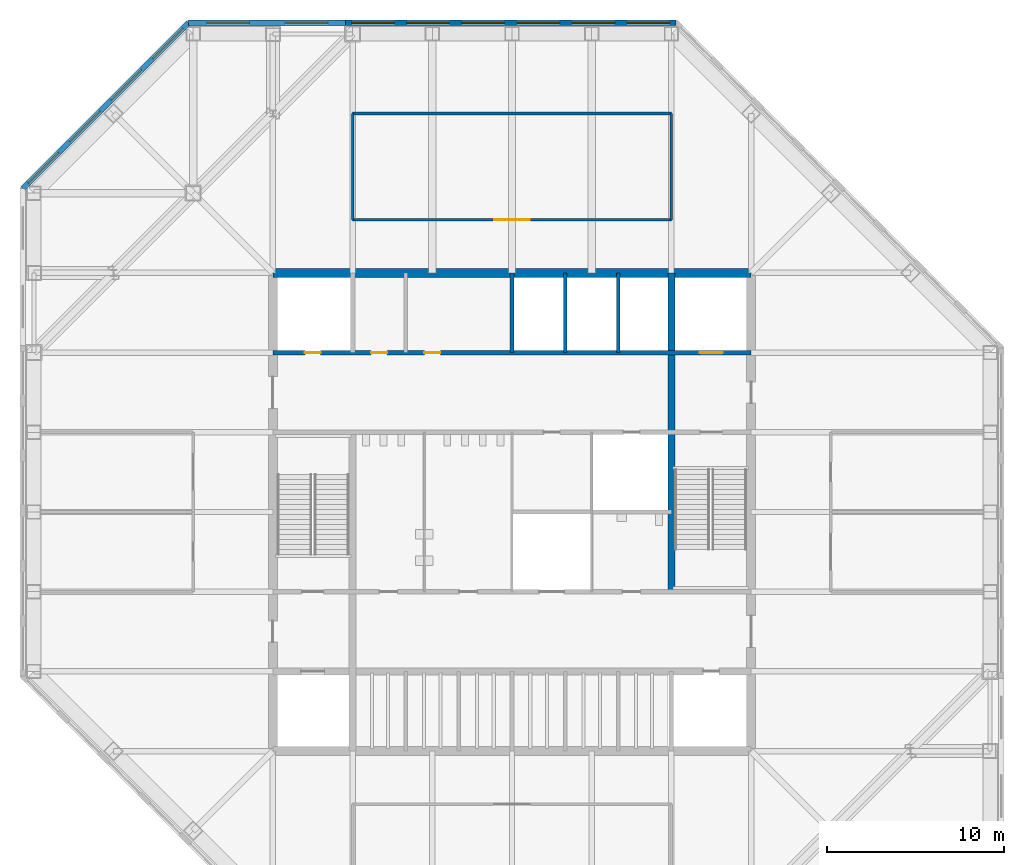
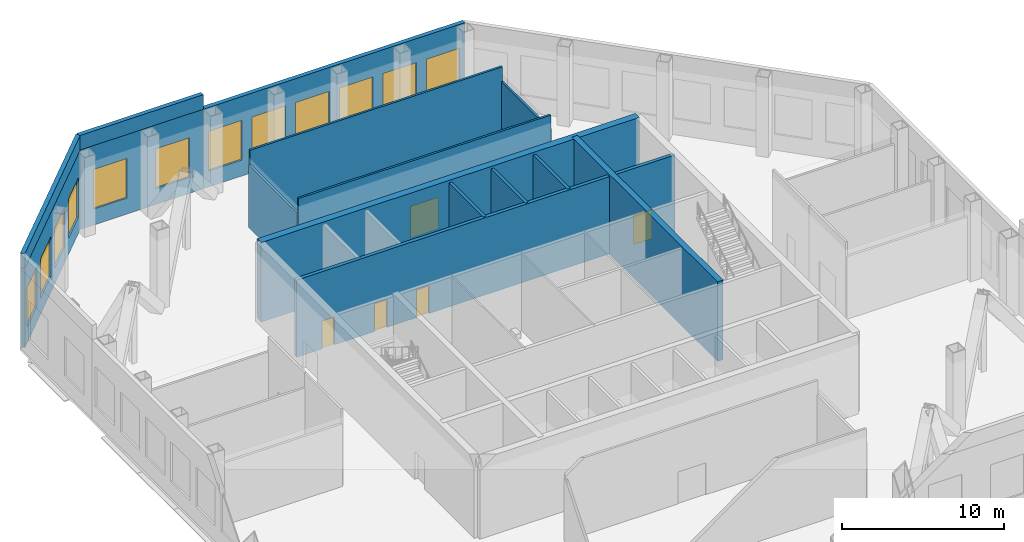
# One storey, part 7 of 10: 15 walls, 12 windows, 5 doors, 17 openings.
"""IFC4 building model written with IfcOpenShell, lengths in metres."""

from ifc_helpers import new_model, si_unit, direction, frame, frame_2d, origin, place, context, subcontext, project, spatial, rectangle, extrude, material, layer, layer_set, type_object, element, fill, save


model = new_model("IFC4")

# Units and contexts
model_context = context("Model", 3, precision=1e-05, world=origin(), true_north=direction((0.0, 1.0)))
body_context = subcontext(model_context, "Body", "Model", "MODEL_VIEW")
ifc_project = project(units=[si_unit("LENGTHUNIT", "METRE"), si_unit("AREAUNIT", "SQUARE_METRE"), si_unit("VOLUMEUNIT", "CUBIC_METRE"), si_unit("PLANEANGLEUNIT", "RADIAN"), si_unit("MASSUNIT", "GRAM", prefix="KILO")], contexts=[model_context])

# Site, building, storey
site_placement = place(None, origin())
site = spatial("IfcSite", under=ifc_project, at=site_placement, CompositionType="ELEMENT")
building_placement = place(site_placement, origin())
building = spatial("IfcBuilding", under=site, at=building_placement, Name="Corais Broadcast Tower", CompositionType="ELEMENT")
storey_placement = place(building_placement, frame((0.0, 0.0, 199.60009765625)))
storey = spatial("IfcBuildingStorey", under=building, at=storey_placement, Name="L46", CompositionType="ELEMENT", Elevation=199.60009765625)

# Walls
ifc_material_1 = material(Name="Concrete C50/60", Category="concrete")
ifc_layer_1 = layer(ifc_material_1, 0.39990234375)
ifc_layer_set_1 = layer_set([ifc_layer_1], Name="Concrete C50/60")
wall_type_1 = type_object("IfcWallType", Name="Core wall 400", PredefinedType="SHEAR", material=ifc_layer_set_1)
wall_1_placement = place(storey_placement, frame((36.0, 22.5, 0.0), z_axis=(0.0, 0.0, 1.0), x_axis=(0.0, 1.0, 0.0)))
element("IfcWall", 1, at=wall_1_placement, inside=storey, type_object=wall_type_1, Name="CR400 core wall X36B L46", PredefinedType="SHEAR", context=body_context, shape_type="SweptSolid", body=[
    extrude(rectangle(XDim=18.0, YDim=0.39990234375, at=frame_2d((9.0, 0.0))), origin(), (0.0, 0.0, 1.0), 6.0),
])
ifc_material_2 = material(Name="Concrete C50/60", Category="concrete")
ifc_layer_2 = layer(ifc_material_2, 0.5)
ifc_layer_set_2 = layer_set([ifc_layer_2], Name="Concrete C50/60")
wall_type_2 = type_object("IfcWallType", Name="Core wall 500", PredefinedType="SHEAR", material=ifc_layer_set_2)
wall_2_placement = place(storey_placement, frame((40.5, 40.5, 0.0), z_axis=(0.0, 0.0, 1.0), x_axis=(-1.0, 0.0, 0.0)))
element("IfcWall", 2, at=wall_2_placement, inside=storey, type_object=wall_type_2, Name="CR500 core wall N L46", PredefinedType="SHEAR", context=body_context, shape_type="SweptSolid", body=[
    extrude(rectangle(XDim=27.0, YDim=0.5, at=frame_2d((13.5, 0.0))), origin(), (0.0, 0.0, 1.0), 6.0),
])

# Wall, openings, doors
ifc_material_3 = material(Name="Concrete blockwork class A, grouted, four-hour", Category="masonry")
ifc_layer_3 = layer(ifc_material_3, 0.25)
ifc_layer_set_3 = layer_set([ifc_layer_3], Name="Concrete blockwork class A, grouted, four-hour")
wall_type_3 = type_object("IfcWallType", Name="Emergency lift shaft wall 250", PredefinedType="SOLIDWALL", material=ifc_layer_set_3)
wall_3_placement = place(storey_placement, frame((13.5, 36.0, 0.0), z_axis=(0.0, 0.0, 1.0), x_axis=(1.0, 0.0, 0.0)))
wall_3 = element("IfcWall", 3, at=wall_3_placement, inside=storey, type_object=wall_type_3, Name="LS2 core lobby wall Y36 L46", PredefinedType="SOLIDWALL", context=body_context, shape_type="SweptSolid", body=[
    extrude(rectangle(XDim=27.0, YDim=0.25, at=frame_2d((13.5, 0.0))), origin(), (0.0, 0.0, 1.0), 5.81982421875),
])
opening_1_placement = place(wall_3_placement, frame((1.800048828125, 0.0, 0.0)))
opening_1 = element("IfcOpeningElement", 4, at=opening_1_placement, cuts=wall_3, Name="Opening RD1", PredefinedType="OPENING", context=body_context, shape_type="SweptSolid", body=[
    extrude(rectangle(XDim=0.89990234375, YDim=2.10009765625, at=frame_2d((0.449951171875, 1.050048828125))), frame((0.0, 0.135009765625, 0.0), z_axis=(0.0, -1.0, 0.0), x_axis=(1.0, 0.0, 0.0)), (0.0, 0.0, 1.0), 0.27001953125),
])
opening_2_placement = place(wall_3_placement, frame((5.550048828125, 0.0, 0.0)))
opening_2 = element("IfcOpeningElement", 5, at=opening_2_placement, cuts=wall_3, Name="Opening RD1", PredefinedType="OPENING", context=body_context, shape_type="SweptSolid", body=[
    extrude(rectangle(XDim=0.89990234375, YDim=2.10009765625, at=frame_2d((0.449951171875, 1.050048828125))), frame((0.0, 0.135009765625, 0.0), z_axis=(0.0, -1.0, 0.0), x_axis=(1.0, 0.0, 0.0)), (0.0, 0.0, 1.0), 0.27001953125),
])
opening_3_placement = place(wall_3_placement, frame((8.550048828125, 0.0, 0.0)))
opening_3 = element("IfcOpeningElement", 6, at=opening_3_placement, cuts=wall_3, Name="Opening RD1", PredefinedType="OPENING", context=body_context, shape_type="SweptSolid", body=[
    extrude(rectangle(XDim=0.89990234375, YDim=2.10009765625, at=frame_2d((0.449951171875, 1.050048828125))), frame((0.0, 0.135009765625, 0.0), z_axis=(0.0, -1.0, 0.0), x_axis=(1.0, 0.0, 0.0)), (0.0, 0.0, 1.0), 0.27001953125),
])
opening_4_placement = place(wall_3_placement, frame((24.10009765625, 0.0, 0.0)))
opening_4 = element("IfcOpeningElement", 7, at=opening_4_placement, cuts=wall_3, Name="Opening LD2", PredefinedType="OPENING", context=body_context, shape_type="SweptSolid", body=[
    extrude(rectangle(XDim=1.300048828125, YDim=2.199951171875, at=frame_2d((0.64990234375, 1.10009765625))), frame((0.0, 0.135009765625, 0.0), z_axis=(0.0, -1.0, 0.0), x_axis=(1.0, 0.0, 0.0)), (0.0, 0.0, 1.0), 0.27001953125),
])
ifc_material_4 = material(Name="Stainless steel lift door", Category="steel")
door_type_1 = type_object("IfcDoorType", Name="Lift landing door 1300x2200", OperationType="SLIDING_TO_LEFT", PredefinedType="DOOR", material=ifc_material_4)
door_1_placement = place(opening_4_placement, origin())
door_1 = element("IfcDoor", 8, at=door_1_placement, inside=storey, type_object=door_type_1, Name="LD2 FL2 landing door L46", OperationType="SLIDING_TO_LEFT", OverallHeight=2.199951171875, OverallWidth=1.300048828125, PredefinedType="DOOR", context=body_context, shape_type="SweptSolid", body=[
    extrude(rectangle(XDim=1.300048828125, YDim=2.199951171875, at=frame_2d((0.64990234375, 1.10009765625))), frame((0.0, 0.02490234375, 0.0), z_axis=(0.0, -1.0, 0.0), x_axis=(1.0, 0.0, 0.0)), (0.0, 0.0, 1.0), 0.050048828125),
])
fill(opening_4, door_1)
ifc_material_5 = material(Name="Steel fire door", Category="steel")
door_type_2 = type_object("IfcDoorType", Name="Riser door 900x2100", OperationType="SINGLE_SWING_LEFT", PredefinedType="DOOR", material=ifc_material_5)
door_2_placement = place(opening_1_placement, origin())
door_2 = element("IfcDoor", 9, at=door_2_placement, inside=storey, type_object=door_type_2, Name="RD1 riser door L46", OperationType="SINGLE_SWING_LEFT", OverallHeight=2.10009765625, OverallWidth=0.89990234375, PredefinedType="DOOR", context=body_context, shape_type="SweptSolid", body=[
    extrude(rectangle(XDim=0.89990234375, YDim=2.10009765625, at=frame_2d((0.449951171875, 1.050048828125))), frame((0.0, 0.02490234375, 0.0), z_axis=(0.0, -1.0, 0.0), x_axis=(1.0, 0.0, 0.0)), (0.0, 0.0, 1.0), 0.050048828125),
])
fill(opening_1, door_2)
door_3_placement = place(opening_2_placement, origin())
door_3 = element("IfcDoor", 10, at=door_3_placement, inside=storey, type_object=door_type_2, Name="RD1 print room door L46", OperationType="SINGLE_SWING_LEFT", OverallHeight=2.10009765625, OverallWidth=0.89990234375, PredefinedType="DOOR", context=body_context, shape_type="SweptSolid", body=[
    extrude(rectangle(XDim=0.89990234375, YDim=2.10009765625, at=frame_2d((0.449951171875, 1.050048828125))), frame((0.0, 0.02490234375, 0.0), z_axis=(0.0, -1.0, 0.0), x_axis=(1.0, 0.0, 0.0)), (0.0, 0.0, 1.0), 0.050048828125),
])
fill(opening_2, door_3)
door_4_placement = place(opening_3_placement, origin())
door_4 = element("IfcDoor", 11, at=door_4_placement, inside=storey, type_object=door_type_2, Name="RD1 wellness room door L46", OperationType="SINGLE_SWING_LEFT", OverallHeight=2.10009765625, OverallWidth=0.89990234375, PredefinedType="DOOR", context=body_context, shape_type="SweptSolid", body=[
    extrude(rectangle(XDim=0.89990234375, YDim=2.10009765625, at=frame_2d((0.449951171875, 1.050048828125))), frame((0.0, 0.02490234375, 0.0), z_axis=(0.0, -1.0, 0.0), x_axis=(1.0, 0.0, 0.0)), (0.0, 0.0, 1.0), 0.050048828125),
])
fill(opening_3, door_4)

# Wall, opening, door
ifc_material_6 = material(Name="Two layers of fire-rated gypsum board each side on steel studs", Category="steel")
ifc_layer_4 = layer(ifc_material_6, 0.14990234375)
ifc_layer_set_4 = layer_set([ifc_layer_4], Name="Two layers of fire-rated gypsum board each side on steel studs")
wall_type_4 = type_object("IfcWallType", Name="Fire-rated partition 150 EI 60", PredefinedType="PARTITIONING", material=ifc_layer_set_4)
wall_4_placement = place(storey_placement, frame((18.0, 43.5, 0.0), z_axis=(0.0, 0.0, 1.0), x_axis=(1.0, 0.0, 0.0)))
wall_4 = element("IfcWall", 12, at=wall_4_placement, inside=storey, type_object=wall_type_4, Name="IW7 partition L46", PredefinedType="PARTITIONING", context=body_context, shape_type="SweptSolid", body=[
    extrude(rectangle(XDim=18.0, YDim=0.14990234375, at=frame_2d((9.0, 0.0))), origin(), (0.0, 0.0, 1.0), 5.81982421875),
])
opening_5_placement = place(wall_4_placement, frame((8.0, 0.0, 0.0)))
opening_5 = element("IfcOpeningElement", 13, at=opening_5_placement, cuts=wall_4, Name="Opening D4", PredefinedType="OPENING", context=body_context, shape_type="SweptSolid", body=[
    extrude(rectangle(XDim=2.0, YDim=2.39990234375, at=frame_2d((1.0, 1.199951171875))), frame((0.0, 0.0849609375, 0.0), z_axis=(0.0, -1.0, 0.0), x_axis=(1.0, 0.0, 0.0)), (0.0, 0.0, 1.0), 0.169921875),
])
ifc_material_7 = material(Name="Steel door", Category="steel")
door_type_3 = type_object("IfcDoorType", Name="Plant room door pair 2000x2400", OperationType="DOUBLE_DOOR_SINGLE_SWING", PredefinedType="DOOR", material=ifc_material_7)
door_5_placement = place(opening_5_placement, origin())
door_5 = element("IfcDoor", 14, at=door_5_placement, inside=storey, type_object=door_type_3, Name="D4 Water tank room door", OperationType="SINGLE_SWING_LEFT", OverallHeight=2.39990234375, OverallWidth=2.0, PredefinedType="DOOR", context=body_context, shape_type="SweptSolid", body=[
    extrude(rectangle(XDim=2.0, YDim=2.39990234375, at=frame_2d((1.0, 1.199951171875))), frame((0.0, 0.02490234375, 0.0), z_axis=(0.0, -1.0, 0.0), x_axis=(1.0, 0.0, 0.0)), (0.0, 0.0, 1.0), 0.050048828125),
])
fill(opening_5, door_5)

# Walls
wall_5_placement = place(storey_placement, frame((36.0, 43.5, 0.0), z_axis=(0.0, 0.0, 1.0), x_axis=(0.0, 1.0, 0.0)))
element("IfcWall", 15, at=wall_5_placement, inside=storey, type_object=wall_type_4, Name="IW7 partition L46", PredefinedType="PARTITIONING", context=body_context, shape_type="SweptSolid", body=[
    extrude(rectangle(XDim=6.0, YDim=0.14990234375, at=frame_2d((3.0, 0.0))), origin(), (0.0, 0.0, 1.0), 4.719970703125),
])
wall_6_placement = place(storey_placement, frame((36.0, 49.5, 0.0), z_axis=(0.0, 0.0, 1.0), x_axis=(-1.0, 0.0, 0.0)))
element("IfcWall", 16, at=wall_6_placement, inside=storey, type_object=wall_type_4, Name="IW7 partition L46", PredefinedType="PARTITIONING", context=body_context, shape_type="SweptSolid", body=[
    extrude(rectangle(XDim=18.0, YDim=0.14990234375, at=frame_2d((9.0, 0.0))), origin(), (0.0, 0.0, 1.0), 5.81982421875),
])
wall_7_placement = place(storey_placement, frame((18.0, 49.5, 0.0), z_axis=(0.0, 0.0, 1.0), x_axis=(0.0, -1.0, 0.0)))
element("IfcWall", 17, at=wall_7_placement, inside=storey, type_object=wall_type_4, Name="IW7 partition L46", PredefinedType="PARTITIONING", context=body_context, shape_type="SweptSolid", body=[
    extrude(rectangle(XDim=6.0, YDim=0.14990234375, at=frame_2d((3.0, 0.0))), origin(), (0.0, 0.0, 1.0), 4.719970703125),
])
ifc_material_8 = material(Name="Precast concrete C40/50", Category="concrete")
ifc_layer_5 = layer(ifc_material_8, 0.300048828125)
ifc_layer_set_5 = layer_set([ifc_layer_5], Name="Precast concrete C40/50")
wall_type_5 = type_object("IfcWallType", Name="Parapet wall 300", PredefinedType="PARAPET", material=ifc_layer_set_5)
wall_8_placement = place(storey_placement, frame((-0.6298828125, 45.260986328125, 6.0), z_axis=(0.0, 0.0, 1.0), x_axis=(0.707106781187, 0.707106781187, 0.0)))
element("IfcWall", 18, at=wall_8_placement, inside=storey, type_object=wall_type_5, Name="PW1 parapet L46", PredefinedType="PARAPET", context=body_context, shape_type="SweptSolid", body=[
    extrude(rectangle(XDim=13.24951171875, YDim=0.300048828125, at=frame_2d((6.624755859375, 0.0))), origin(), (0.0, 0.0, 1.0), 1.099853515625),
])
wall_9_placement = place(storey_placement, frame((8.739013671875, 54.6298828125, 6.0), z_axis=(0.0, 0.0, 1.0), x_axis=(1.0, 0.0, 0.0)))
element("IfcWall", 19, at=wall_9_placement, inside=storey, type_object=wall_type_5, Name="PW1 parapet L46", PredefinedType="PARAPET", context=body_context, shape_type="SweptSolid", body=[
    extrude(rectangle(XDim=8.858642578125, YDim=0.300048828125, at=frame_2d((4.42919921875, 0.0))), origin(), (0.0, 0.0, 1.0), 1.099853515625),
])
ifc_material_9 = material(Name="Concrete blockwork class A, grouted, two-hour", Category="masonry")
ifc_layer_6 = layer(ifc_material_9, 0.199951171875)
ifc_layer_set_6 = layer_set([ifc_layer_6], Name="Concrete blockwork class A, grouted, two-hour")
wall_type_6 = type_object("IfcWallType", Name="Shaft wall 200", PredefinedType="PARTITIONING", material=ifc_layer_set_6)
for number, where, z_axis, x_axis, name in (
    (20, (27.0, 36.0, 0.0), (0.0, 0.0, 1.0), (0.0, 1.0, 0.0), "IW1 shaft wall L46"),
    (21, (30.0, 36.0, 0.0), (0.0, 0.0, 1.0), (0.0, 1.0, 0.0), "IW1 shaft wall L46"),
    (22, (33.0, 36.0, 0.0), (0.0, 0.0, 1.0), (0.0, 1.0, 0.0), "IW1 shaft wall L46"),
):
    element("IfcWall", number, at=place(storey_placement, frame(where, z_axis=z_axis, x_axis=x_axis)), inside=storey, type_object=wall_type_6, Name=name, PredefinedType="PARTITIONING", context=body_context, shape_type="SweptSolid", body=[
        extrude(rectangle(XDim=4.5, YDim=0.199951171875, at=frame_2d((2.25, 0.0))), origin(), (0.0, 0.0, 1.0), 5.81982421875),
    ])

# Wall, openings, windows
ifc_material_10 = material(Name="Precast concrete C40/50", Category="concrete")
ifc_layer_7 = layer(ifc_material_10, 0.300048828125)
ifc_layer_set_7 = layer_set([ifc_layer_7], Name="Precast concrete C40/50")
wall_type_7 = type_object("IfcWallType", Name="Stone-faced precast wall 300", PredefinedType="SOLIDWALL", material=ifc_layer_set_7)
wall_10_placement = place(storey_placement, frame((-0.6298828125, 45.260986328125, 0.0), z_axis=(0.0, 0.0, 1.0), x_axis=(0.707106781187, 0.707106781187, 0.0)))
wall_10 = element("IfcWall", 23, at=wall_10_placement, inside=storey, type_object=wall_type_7, Name="EW1 external wall L46 3", PredefinedType="SOLIDWALL", context=body_context, shape_type="SweptSolid", body=[
    extrude(rectangle(XDim=13.24951171875, YDim=0.300048828125, at=frame_2d((6.624755859375, 0.0))), origin(), (0.0, 0.0, 1.0), 6.0),
])
opening_6_placement = place(wall_10_placement, frame((0.456298828125, 0.0, 1.199951171875)))
opening_6 = element("IfcOpeningElement", 24, at=opening_6_placement, cuts=wall_10, Name="Opening LV1", PredefinedType="OPENING", context=body_context, shape_type="SweptSolid", body=[
    extrude(rectangle(XDim=2.39990234375, YDim=3.0, at=frame_2d((1.199951171875, 1.5))), frame((0.0, 0.159912109375, 0.0), z_axis=(0.0, -1.0, 0.0), x_axis=(1.0, 0.0, 0.0)), (0.0, 0.0, 1.0), 0.320068359375),
])
opening_7_placement = place(wall_10_placement, frame((3.7685546875, 0.0, 1.199951171875)))
opening_7 = element("IfcOpeningElement", 25, at=opening_7_placement, cuts=wall_10, Name="Opening LV1", PredefinedType="OPENING", context=body_context, shape_type="SweptSolid", body=[
    extrude(rectangle(XDim=2.39990234375, YDim=3.0, at=frame_2d((1.199951171875, 1.5))), frame((0.0, 0.159912109375, 0.0), z_axis=(0.0, -1.0, 0.0), x_axis=(1.0, 0.0, 0.0)), (0.0, 0.0, 1.0), 0.320068359375),
])
opening_8_placement = place(wall_10_placement, frame((7.0810546875, 0.0, 1.199951171875)))
opening_8 = element("IfcOpeningElement", 26, at=opening_8_placement, cuts=wall_10, Name="Opening LV1", PredefinedType="OPENING", context=body_context, shape_type="SweptSolid", body=[
    extrude(rectangle(XDim=2.39990234375, YDim=3.0, at=frame_2d((1.199951171875, 1.5))), frame((0.0, 0.159912109375, 0.0), z_axis=(0.0, -1.0, 0.0), x_axis=(1.0, 0.0, 0.0)), (0.0, 0.0, 1.0), 0.320068359375),
])
opening_9_placement = place(wall_10_placement, frame((10.3935546875, 0.0, 1.199951171875)))
opening_9 = element("IfcOpeningElement", 27, at=opening_9_placement, cuts=wall_10, Name="Opening LV1", PredefinedType="OPENING", context=body_context, shape_type="SweptSolid", body=[
    extrude(rectangle(XDim=2.39990234375, YDim=3.0, at=frame_2d((1.199951171875, 1.5))), frame((0.0, 0.159912109375, 0.0), z_axis=(0.0, -1.0, 0.0), x_axis=(1.0, 0.0, 0.0)), (0.0, 0.0, 1.0), 0.320068359375),
])
ifc_material_11 = material(Name="Aluminium frame", Category="aluminium")
window_type = type_object("IfcWindowType", Name="Plant louvre 2400x3000", PartitioningType="SINGLE_PANEL", PredefinedType="USERDEFINED", material=ifc_material_11)
window_1_placement = place(opening_6_placement, origin())
window_1 = element("IfcWindow", 28, at=window_1_placement, inside=storey, type_object=window_type, Name="LV1 window L46", ObjectType="LOUVRE", OverallHeight=3.0, OverallWidth=2.39990234375, PartitioningType="SINGLE_PANEL", PredefinedType="USERDEFINED", context=body_context, shape_type="SweptSolid", body=[
    extrude(rectangle(XDim=2.39990234375, YDim=3.0, at=frame_2d((1.199951171875, 1.5))), frame((0.0, 0.030029296875, 0.0), z_axis=(0.0, -1.0, 0.0), x_axis=(1.0, 0.0, 0.0)), (0.0, 0.0, 1.0), 0.06005859375),
])
fill(opening_6, window_1)
window_2_placement = place(opening_7_placement, origin())
window_2 = element("IfcWindow", 29, at=window_2_placement, inside=storey, type_object=window_type, Name="LV1 window L46", ObjectType="LOUVRE", OverallHeight=3.0, OverallWidth=2.39990234375, PartitioningType="SINGLE_PANEL", PredefinedType="USERDEFINED", context=body_context, shape_type="SweptSolid", body=[
    extrude(rectangle(XDim=2.39990234375, YDim=3.0, at=frame_2d((1.199951171875, 1.5))), frame((0.0, 0.030029296875, 0.0), z_axis=(0.0, -1.0, 0.0), x_axis=(1.0, 0.0, 0.0)), (0.0, 0.0, 1.0), 0.06005859375),
])
fill(opening_7, window_2)
window_3_placement = place(opening_8_placement, origin())
window_3 = element("IfcWindow", 30, at=window_3_placement, inside=storey, type_object=window_type, Name="LV1 window L46", ObjectType="LOUVRE", OverallHeight=3.0, OverallWidth=2.39990234375, PartitioningType="SINGLE_PANEL", PredefinedType="USERDEFINED", context=body_context, shape_type="SweptSolid", body=[
    extrude(rectangle(XDim=2.39990234375, YDim=3.0, at=frame_2d((1.199951171875, 1.5))), frame((0.0, 0.030029296875, 0.0), z_axis=(0.0, -1.0, 0.0), x_axis=(1.0, 0.0, 0.0)), (0.0, 0.0, 1.0), 0.06005859375),
])
fill(opening_8, window_3)
window_4_placement = place(opening_9_placement, origin())
window_4 = element("IfcWindow", 31, at=window_4_placement, inside=storey, type_object=window_type, Name="LV1 window L46", ObjectType="LOUVRE", OverallHeight=3.0, OverallWidth=2.39990234375, PartitioningType="SINGLE_PANEL", PredefinedType="USERDEFINED", context=body_context, shape_type="SweptSolid", body=[
    extrude(rectangle(XDim=2.39990234375, YDim=3.0, at=frame_2d((1.199951171875, 1.5))), frame((0.0, 0.030029296875, 0.0), z_axis=(0.0, -1.0, 0.0), x_axis=(1.0, 0.0, 0.0)), (0.0, 0.0, 1.0), 0.06005859375),
])
fill(opening_9, window_4)

wall_11_placement = place(storey_placement, frame((8.739013671875, 54.6298828125, 0.0), z_axis=(0.0, 0.0, 1.0), x_axis=(1.0, 0.0, 0.0)))
wall_11 = element("IfcWall", 32, at=wall_11_placement, inside=storey, type_object=wall_type_7, Name="EW1 external wall L46 4", PredefinedType="SOLIDWALL", context=body_context, shape_type="SweptSolid", body=[
    extrude(rectangle(XDim=8.858642578125, YDim=0.300048828125, at=frame_2d((4.42919921875, 0.0))), origin(), (0.0, 0.0, 1.0), 6.0),
])
opening_10_placement = place(wall_11_placement, frame((1.0146484375, 0.0, 1.199951171875)))
opening_10 = element("IfcOpeningElement", 33, at=opening_10_placement, cuts=wall_11, Name="Opening LV1", PredefinedType="OPENING", context=body_context, shape_type="SweptSolid", body=[
    extrude(rectangle(XDim=2.39990234375, YDim=3.0, at=frame_2d((1.199951171875, 1.5))), frame((0.0, 0.159912109375, 0.0), z_axis=(0.0, -1.0, 0.0), x_axis=(1.0, 0.0, 0.0)), (0.0, 0.0, 1.0), 0.320068359375),
])
opening_11_placement = place(wall_11_placement, frame((5.44384765625, 0.0, 1.199951171875)))
opening_11 = element("IfcOpeningElement", 34, at=opening_11_placement, cuts=wall_11, Name="Opening LV1", PredefinedType="OPENING", context=body_context, shape_type="SweptSolid", body=[
    extrude(rectangle(XDim=2.39990234375, YDim=3.0, at=frame_2d((1.199951171875, 1.5))), frame((0.0, 0.159912109375, 0.0), z_axis=(0.0, -1.0, 0.0), x_axis=(1.0, 0.0, 0.0)), (0.0, 0.0, 1.0), 0.320068359375),
])
window_5_placement = place(opening_10_placement, origin())
window_5 = element("IfcWindow", 35, at=window_5_placement, inside=storey, type_object=window_type, Name="LV1 window L46", ObjectType="LOUVRE", OverallHeight=3.0, OverallWidth=2.39990234375, PartitioningType="SINGLE_PANEL", PredefinedType="USERDEFINED", context=body_context, shape_type="SweptSolid", body=[
    extrude(rectangle(XDim=2.39990234375, YDim=3.0, at=frame_2d((1.199951171875, 1.5))), frame((0.0, 0.030029296875, 0.0), z_axis=(0.0, -1.0, 0.0), x_axis=(1.0, 0.0, 0.0)), (0.0, 0.0, 1.0), 0.06005859375),
])
fill(opening_10, window_5)
window_6_placement = place(opening_11_placement, origin())
window_6 = element("IfcWindow", 36, at=window_6_placement, inside=storey, type_object=window_type, Name="LV1 window L46", ObjectType="LOUVRE", OverallHeight=3.0, OverallWidth=2.39990234375, PartitioningType="SINGLE_PANEL", PredefinedType="USERDEFINED", context=body_context, shape_type="SweptSolid", body=[
    extrude(rectangle(XDim=2.39990234375, YDim=3.0, at=frame_2d((1.199951171875, 1.5))), frame((0.0, 0.030029296875, 0.0), z_axis=(0.0, -1.0, 0.0), x_axis=(1.0, 0.0, 0.0)), (0.0, 0.0, 1.0), 0.06005859375),
])
fill(opening_11, window_6)

wall_12_placement = place(storey_placement, frame((17.59765625, 54.6298828125, 0.0), z_axis=(0.0, 0.0, 1.0), x_axis=(1.0, 0.0, 0.0)))
wall_12 = element("IfcWall", 37, at=wall_12_placement, inside=storey, type_object=wall_type_7, Name="EW1 external wall L46 4", PredefinedType="SOLIDWALL", context=body_context, shape_type="SweptSolid", body=[
    extrude(rectangle(XDim=18.663330078125, YDim=0.300048828125, at=frame_2d((9.33154296875, 0.0))), origin(), (0.0, 0.0, 1.0), 6.0),
])
opening_12_placement = place(wall_12_placement, frame((0.355224609375, 0.0, 1.199951171875)))
opening_12 = element("IfcOpeningElement", 38, at=opening_12_placement, cuts=wall_12, Name="Opening LV1", PredefinedType="OPENING", context=body_context, shape_type="SweptSolid", body=[
    extrude(rectangle(XDim=2.39990234375, YDim=3.0, at=frame_2d((1.199951171875, 1.5))), frame((0.0, 0.159912109375, 0.0), z_axis=(0.0, -1.0, 0.0), x_axis=(1.0, 0.0, 0.0)), (0.0, 0.0, 1.0), 0.320068359375),
])
opening_13_placement = place(wall_12_placement, frame((3.4658203125, 0.0, 1.199951171875)))
opening_13 = element("IfcOpeningElement", 39, at=opening_13_placement, cuts=wall_12, Name="Opening LV1", PredefinedType="OPENING", context=body_context, shape_type="SweptSolid", body=[
    extrude(rectangle(XDim=2.39990234375, YDim=3.0, at=frame_2d((1.199951171875, 1.5))), frame((0.0, 0.159912109375, 0.0), z_axis=(0.0, -1.0, 0.0), x_axis=(1.0, 0.0, 0.0)), (0.0, 0.0, 1.0), 0.320068359375),
])
opening_14_placement = place(wall_12_placement, frame((6.576416015625, 0.0, 1.199951171875)))
opening_14 = element("IfcOpeningElement", 40, at=opening_14_placement, cuts=wall_12, Name="Opening LV1", PredefinedType="OPENING", context=body_context, shape_type="SweptSolid", body=[
    extrude(rectangle(XDim=2.39990234375, YDim=3.0, at=frame_2d((1.199951171875, 1.5))), frame((0.0, 0.159912109375, 0.0), z_axis=(0.0, -1.0, 0.0), x_axis=(1.0, 0.0, 0.0)), (0.0, 0.0, 1.0), 0.320068359375),
])
opening_15_placement = place(wall_12_placement, frame((9.68701171875, 0.0, 1.199951171875)))
opening_15 = element("IfcOpeningElement", 41, at=opening_15_placement, cuts=wall_12, Name="Opening LV1", PredefinedType="OPENING", context=body_context, shape_type="SweptSolid", body=[
    extrude(rectangle(XDim=2.39990234375, YDim=3.0, at=frame_2d((1.199951171875, 1.5))), frame((0.0, 0.159912109375, 0.0), z_axis=(0.0, -1.0, 0.0), x_axis=(1.0, 0.0, 0.0)), (0.0, 0.0, 1.0), 0.320068359375),
])
opening_16_placement = place(wall_12_placement, frame((12.797607421875, 0.0, 1.199951171875)))
opening_16 = element("IfcOpeningElement", 42, at=opening_16_placement, cuts=wall_12, Name="Opening LV1", PredefinedType="OPENING", context=body_context, shape_type="SweptSolid", body=[
    extrude(rectangle(XDim=2.39990234375, YDim=3.0, at=frame_2d((1.199951171875, 1.5))), frame((0.0, 0.159912109375, 0.0), z_axis=(0.0, -1.0, 0.0), x_axis=(1.0, 0.0, 0.0)), (0.0, 0.0, 1.0), 0.320068359375),
])
opening_17_placement = place(wall_12_placement, frame((15.908203125, 0.0, 1.199951171875)))
opening_17 = element("IfcOpeningElement", 43, at=opening_17_placement, cuts=wall_12, Name="Opening LV1", PredefinedType="OPENING", context=body_context, shape_type="SweptSolid", body=[
    extrude(rectangle(XDim=2.39990234375, YDim=3.0, at=frame_2d((1.199951171875, 1.5))), frame((0.0, 0.159912109375, 0.0), z_axis=(0.0, -1.0, 0.0), x_axis=(1.0, 0.0, 0.0)), (0.0, 0.0, 1.0), 0.320068359375),
])
window_7_placement = place(opening_12_placement, origin())
window_7 = element("IfcWindow", 44, at=window_7_placement, inside=storey, type_object=window_type, Name="LV1 window L46", ObjectType="LOUVRE", OverallHeight=3.0, OverallWidth=2.39990234375, PartitioningType="SINGLE_PANEL", PredefinedType="USERDEFINED", context=body_context, shape_type="SweptSolid", body=[
    extrude(rectangle(XDim=2.39990234375, YDim=3.0, at=frame_2d((1.199951171875, 1.5))), frame((0.0, 0.030029296875, 0.0), z_axis=(0.0, -1.0, 0.0), x_axis=(1.0, 0.0, 0.0)), (0.0, 0.0, 1.0), 0.06005859375),
])
fill(opening_12, window_7)
window_8_placement = place(opening_13_placement, origin())
window_8 = element("IfcWindow", 45, at=window_8_placement, inside=storey, type_object=window_type, Name="LV1 window L46", ObjectType="LOUVRE", OverallHeight=3.0, OverallWidth=2.39990234375, PartitioningType="SINGLE_PANEL", PredefinedType="USERDEFINED", context=body_context, shape_type="SweptSolid", body=[
    extrude(rectangle(XDim=2.39990234375, YDim=3.0, at=frame_2d((1.199951171875, 1.5))), frame((0.0, 0.030029296875, 0.0), z_axis=(0.0, -1.0, 0.0), x_axis=(1.0, 0.0, 0.0)), (0.0, 0.0, 1.0), 0.06005859375),
])
fill(opening_13, window_8)
window_9_placement = place(opening_14_placement, origin())
window_9 = element("IfcWindow", 46, at=window_9_placement, inside=storey, type_object=window_type, Name="LV1 window L46", ObjectType="LOUVRE", OverallHeight=3.0, OverallWidth=2.39990234375, PartitioningType="SINGLE_PANEL", PredefinedType="USERDEFINED", context=body_context, shape_type="SweptSolid", body=[
    extrude(rectangle(XDim=2.39990234375, YDim=3.0, at=frame_2d((1.199951171875, 1.5))), frame((0.0, 0.030029296875, 0.0), z_axis=(0.0, -1.0, 0.0), x_axis=(1.0, 0.0, 0.0)), (0.0, 0.0, 1.0), 0.06005859375),
])
fill(opening_14, window_9)
window_10_placement = place(opening_15_placement, origin())
window_10 = element("IfcWindow", 47, at=window_10_placement, inside=storey, type_object=window_type, Name="LV1 window L46", ObjectType="LOUVRE", OverallHeight=3.0, OverallWidth=2.39990234375, PartitioningType="SINGLE_PANEL", PredefinedType="USERDEFINED", context=body_context, shape_type="SweptSolid", body=[
    extrude(rectangle(XDim=2.39990234375, YDim=3.0, at=frame_2d((1.199951171875, 1.5))), frame((0.0, 0.030029296875, 0.0), z_axis=(0.0, -1.0, 0.0), x_axis=(1.0, 0.0, 0.0)), (0.0, 0.0, 1.0), 0.06005859375),
])
fill(opening_15, window_10)
window_11_placement = place(opening_16_placement, origin())
window_11 = element("IfcWindow", 48, at=window_11_placement, inside=storey, type_object=window_type, Name="LV1 window L46", ObjectType="LOUVRE", OverallHeight=3.0, OverallWidth=2.39990234375, PartitioningType="SINGLE_PANEL", PredefinedType="USERDEFINED", context=body_context, shape_type="SweptSolid", body=[
    extrude(rectangle(XDim=2.39990234375, YDim=3.0, at=frame_2d((1.199951171875, 1.5))), frame((0.0, 0.030029296875, 0.0), z_axis=(0.0, -1.0, 0.0), x_axis=(1.0, 0.0, 0.0)), (0.0, 0.0, 1.0), 0.06005859375),
])
fill(opening_16, window_11)
window_12_placement = place(opening_17_placement, origin())
window_12 = element("IfcWindow", 49, at=window_12_placement, inside=storey, type_object=window_type, Name="LV1 window L46", ObjectType="LOUVRE", OverallHeight=3.0, OverallWidth=2.39990234375, PartitioningType="SINGLE_PANEL", PredefinedType="USERDEFINED", context=body_context, shape_type="SweptSolid", body=[
    extrude(rectangle(XDim=2.39990234375, YDim=3.0, at=frame_2d((1.199951171875, 1.5))), frame((0.0, 0.030029296875, 0.0), z_axis=(0.0, -1.0, 0.0), x_axis=(1.0, 0.0, 0.0)), (0.0, 0.0, 1.0), 0.06005859375),
])
fill(opening_17, window_12)

save(model, "model.ifc")
